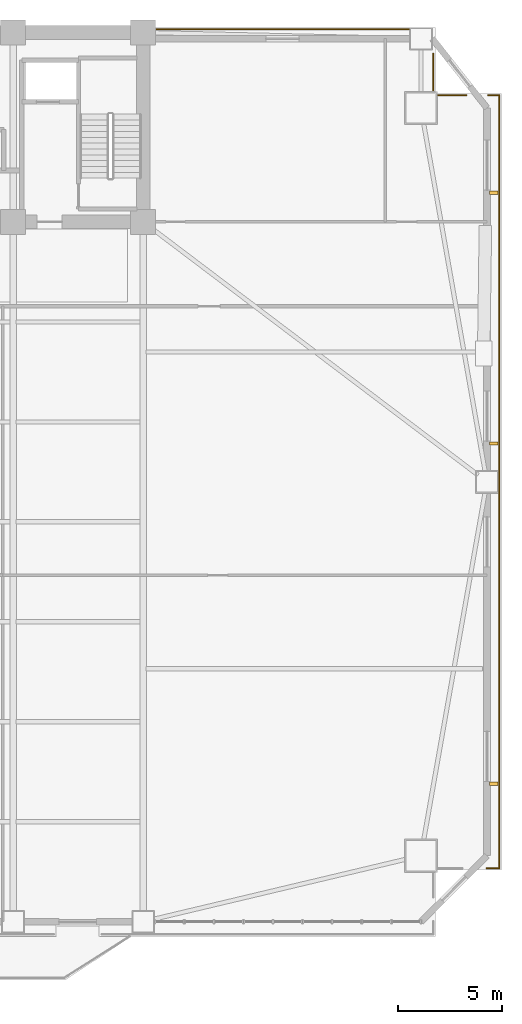
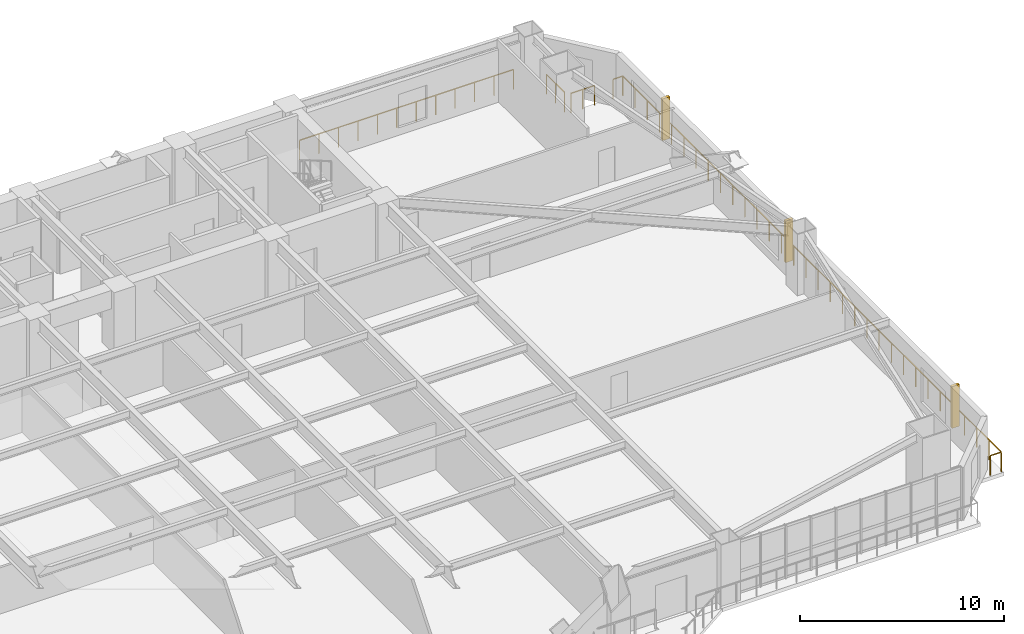
# One storey, part 17 of 17: 6 railings, 3 shading devices.
"""IFC4 building model written with IfcOpenShell, lengths in metres."""

from ifc_helpers import new_model, si_unit, direction, frame, origin, origin_2d, place, context, subcontext, project, spatial, rectangle, extrude, source, transform, mapped, material, type_object, element, save


model = new_model("IFC4")

# Units and contexts
model_context = context("Model", 3, precision=1e-05, world=origin(), true_north=direction((0.0, 1.0)))
body_context = subcontext(model_context, "Body", "Model", "MODEL_VIEW")
ifc_project = project(units=[si_unit("LENGTHUNIT", "METRE"), si_unit("AREAUNIT", "SQUARE_METRE"), si_unit("VOLUMEUNIT", "CUBIC_METRE"), si_unit("PLANEANGLEUNIT", "RADIAN"), si_unit("MASSUNIT", "GRAM", prefix="KILO")], contexts=[model_context])

# Site, building, storey
site_placement = place(None, origin())
site = spatial("IfcSite", under=ifc_project, at=site_placement, CompositionType="ELEMENT")
building_placement = place(site_placement, origin())
building = spatial("IfcBuilding", under=site, at=building_placement, Name="Giltprow Tower", CompositionType="ELEMENT")
storey_placement = place(building_placement, frame((0.0, 0.0, 41.0)))
storey = spatial("IfcBuildingStorey", under=building, at=storey_placement, Name="L10", CompositionType="ELEMENT", Elevation=41.0)

# Railings
ifc_material = material(Name="Anodized bronze", Category="metal")
railing_type = type_object("IfcRailingType", Name="RAIL-BALC-GUARD-1200", PredefinedType="BALUSTRADE", material=ifc_material)
railing_1_placement = place(storey_placement, frame((51.18505859375, 46.699951171875, 0.0)))
element("IfcRailing", 1, at=railing_1_placement, inside=storey, type_object=railing_type, Name="L10 Corner Apron Edge Balustrade 10", PredefinedType="BALUSTRADE", context=body_context, shape_type="SweptSolid", body=[
    extrude(rectangle(XDim=0.048095703125, YDim=0.048095703125, at=origin_2d()), frame((0.0, 0.0, 1.17578125), z_axis=(1.0, 0.0, 0.0), x_axis=(0.0, 1.0, 0.0)), (0.0, 0.0, 1.0), 12.120849609375),
    extrude(rectangle(XDim=0.0419921875, YDim=0.0419921875, at=origin_2d()), origin(), (0.0, 0.0, 1.0), 1.15185546875),
    extrude(rectangle(XDim=0.0419921875, YDim=0.0419921875, at=origin_2d()), frame((1.101806640625, 0.0, 0.0)), (0.0, 0.0, 1.0), 1.15185546875),
    extrude(rectangle(XDim=0.0419921875, YDim=0.0419921875, at=origin_2d()), frame((2.203857421875, 0.0, 0.0)), (0.0, 0.0, 1.0), 1.15185546875),
    extrude(rectangle(XDim=0.0419921875, YDim=0.0419921875, at=origin_2d()), frame((3.3056640625, 0.0, 0.0)), (0.0, 0.0, 1.0), 1.15185546875),
    extrude(rectangle(XDim=0.0419921875, YDim=0.0419921875, at=origin_2d()), frame((4.407470703125, 0.0, 0.0)), (0.0, 0.0, 1.0), 1.15185546875),
    extrude(rectangle(XDim=0.0419921875, YDim=0.0419921875, at=origin_2d()), frame((5.509521484375, 0.0, 0.0)), (0.0, 0.0, 1.0), 1.15185546875),
    extrude(rectangle(XDim=0.0419921875, YDim=0.0419921875, at=origin_2d()), frame((6.611328125, 0.0, 0.0)), (0.0, 0.0, 1.0), 1.15185546875),
    extrude(rectangle(XDim=0.0419921875, YDim=0.0419921875, at=origin_2d()), frame((7.71337890625, 0.0, 0.0)), (0.0, 0.0, 1.0), 1.15185546875),
    extrude(rectangle(XDim=0.0419921875, YDim=0.0419921875, at=origin_2d()), frame((8.815185546875, 0.0, 0.0)), (0.0, 0.0, 1.0), 1.15185546875),
    extrude(rectangle(XDim=0.0419921875, YDim=0.0419921875, at=origin_2d()), frame((9.9169921875, 0.0, 0.0)), (0.0, 0.0, 1.0), 1.15185546875),
    extrude(rectangle(XDim=0.0419921875, YDim=0.0419921875, at=origin_2d()), frame((11.01904296875, 0.0, 0.0)), (0.0, 0.0, 1.0), 1.15185546875),
    extrude(rectangle(XDim=0.0419921875, YDim=0.0419921875, at=origin_2d()), frame((12.120849609375, 0.0, 0.0)), (0.0, 0.0, 1.0), 1.15185546875),
])
railing_2_placement = place(storey_placement, frame((64.490966796875, 45.52490234375, 0.0)))
element("IfcRailing", 2, at=railing_2_placement, inside=storey, type_object=railing_type, Name="L10 Corner Apron Edge Balustrade 11", PredefinedType="BALUSTRADE", context=body_context, shape_type="SweptSolid", body=[
    extrude(rectangle(XDim=0.048095703125, YDim=0.048095703125, at=origin_2d()), frame((0.0, 0.0, 1.17578125), z_axis=(0.0, -1.0, 0.0), x_axis=(1.0, 0.0, 0.0)), (0.0, 0.0, 1.0), 1.763916015625),
    extrude(rectangle(XDim=0.0419921875, YDim=0.0419921875, at=origin_2d()), origin(), (0.0, 0.0, 1.0), 1.15185546875),
    extrude(rectangle(XDim=0.0419921875, YDim=0.0419921875, at=origin_2d()), frame((0.0, -0.8818359375, 0.0)), (0.0, 0.0, 1.0), 1.15185546875),
    extrude(rectangle(XDim=0.0419921875, YDim=0.0419921875, at=origin_2d()), frame((0.0, -1.763916015625, 0.0)), (0.0, 0.0, 1.0), 1.15185546875),
])
railing_3_placement = place(storey_placement, frame((64.72607421875, 43.52587890625, 0.0)))
element("IfcRailing", 3, at=railing_3_placement, inside=storey, type_object=railing_type, Name="L10 Corner Apron Edge Balustrade 12", PredefinedType="BALUSTRADE", context=body_context, shape_type="SweptSolid", body=[
    extrude(rectangle(XDim=0.048095703125, YDim=0.048095703125, at=origin_2d()), frame((0.0, 0.0, 1.17578125), z_axis=(1.0, 0.0, 0.0), x_axis=(0.0, 1.0, 0.0)), (0.0, 0.0, 1.0), 1.343017578125),
    extrude(rectangle(XDim=0.0419921875, YDim=0.0419921875, at=origin_2d()), origin(), (0.0, 0.0, 1.0), 1.15185546875),
    extrude(rectangle(XDim=0.0419921875, YDim=0.0419921875, at=origin_2d()), frame((0.67138671875, 0.0, 0.0)), (0.0, 0.0, 1.0), 1.15185546875),
    extrude(rectangle(XDim=0.0419921875, YDim=0.0419921875, at=origin_2d()), frame((1.343017578125, 0.0, 0.0)), (0.0, 0.0, 1.0), 1.15185546875),
])
railing_4_placement = place(storey_placement, frame((67.114013671875, 43.52587890625, 0.0)))
element("IfcRailing", 4, at=railing_4_placement, inside=storey, type_object=railing_type, Name="L10 Corner Apron Edge Balustrade 13", PredefinedType="BALUSTRADE", context=body_context, shape_type="SweptSolid", body=[
    extrude(rectangle(XDim=0.048095703125, YDim=0.048095703125, at=origin_2d()), frame((0.0, 0.0, 1.17578125), z_axis=(1.0, 0.0, 0.0), x_axis=(0.0, 1.0, 0.0)), (0.0, 0.0, 1.0), 0.551025390625),
    extrude(rectangle(XDim=0.0419921875, YDim=0.0419921875, at=origin_2d()), origin(), (0.0, 0.0, 1.0), 1.15185546875),
    extrude(rectangle(XDim=0.0419921875, YDim=0.0419921875, at=origin_2d()), frame((0.551025390625, 0.0, 0.0)), (0.0, 0.0, 1.0), 1.15185546875),
])
railing_5_placement = place(storey_placement, frame((67.6650390625, 43.52587890625, 0.0)))
element("IfcRailing", 5, at=railing_5_placement, inside=storey, type_object=railing_type, Name="L10 Corner Apron Edge Balustrade 14", PredefinedType="BALUSTRADE", context=body_context, shape_type="SweptSolid", body=[
    extrude(rectangle(XDim=0.048095703125, YDim=0.048095703125, at=origin_2d()), frame((0.0, 0.0, 1.17578125), z_axis=(0.0, -1.0, 0.0), x_axis=(1.0, 0.0, 0.0)), (0.0, 0.0, 1.0), 37.1259765625),
    extrude(rectangle(XDim=0.0419921875, YDim=0.0419921875, at=origin_2d()), origin(), (0.0, 0.0, 1.0), 1.15185546875),
    extrude(rectangle(XDim=0.0419921875, YDim=0.0419921875, at=origin_2d()), frame((0.0, -1.197509765625, 0.0)), (0.0, 0.0, 1.0), 1.15185546875),
    extrude(rectangle(XDim=0.0419921875, YDim=0.0419921875, at=origin_2d()), frame((0.0, -2.395263671875, 0.0)), (0.0, 0.0, 1.0), 1.15185546875),
    extrude(rectangle(XDim=0.0419921875, YDim=0.0419921875, at=origin_2d()), frame((0.0, -3.5927734375, 0.0)), (0.0, 0.0, 1.0), 1.15185546875),
    extrude(rectangle(XDim=0.0419921875, YDim=0.0419921875, at=origin_2d()), frame((0.0, -4.79052734375, 0.0)), (0.0, 0.0, 1.0), 1.15185546875),
    extrude(rectangle(XDim=0.0419921875, YDim=0.0419921875, at=origin_2d()), frame((0.0, -5.988037109375, 0.0)), (0.0, 0.0, 1.0), 1.15185546875),
    extrude(rectangle(XDim=0.0419921875, YDim=0.0419921875, at=origin_2d()), frame((0.0, -7.185791015625, 0.0)), (0.0, 0.0, 1.0), 1.15185546875),
    extrude(rectangle(XDim=0.0419921875, YDim=0.0419921875, at=origin_2d()), frame((0.0, -8.38330078125, 0.0)), (0.0, 0.0, 1.0), 1.15185546875),
    extrude(rectangle(XDim=0.0419921875, YDim=0.0419921875, at=origin_2d()), frame((0.0, -9.580810546875, 0.0)), (0.0, 0.0, 1.0), 1.15185546875),
    extrude(rectangle(XDim=0.0419921875, YDim=0.0419921875, at=origin_2d()), frame((0.0, -10.778564453125, 0.0)), (0.0, 0.0, 1.0), 1.15185546875),
    extrude(rectangle(XDim=0.0419921875, YDim=0.0419921875, at=origin_2d()), frame((0.0, -11.97607421875, 0.0)), (0.0, 0.0, 1.0), 1.15185546875),
    extrude(rectangle(XDim=0.0419921875, YDim=0.0419921875, at=origin_2d()), frame((0.0, -13.173828125, 0.0)), (0.0, 0.0, 1.0), 1.15185546875),
    extrude(rectangle(XDim=0.0419921875, YDim=0.0419921875, at=origin_2d()), frame((0.0, -14.371337890625, 0.0)), (0.0, 0.0, 1.0), 1.15185546875),
    extrude(rectangle(XDim=0.0419921875, YDim=0.0419921875, at=origin_2d()), frame((0.0, -15.56884765625, 0.0)), (0.0, 0.0, 1.0), 1.15185546875),
    extrude(rectangle(XDim=0.0419921875, YDim=0.0419921875, at=origin_2d()), frame((0.0, -16.7666015625, 0.0)), (0.0, 0.0, 1.0), 1.15185546875),
    extrude(rectangle(XDim=0.0419921875, YDim=0.0419921875, at=origin_2d()), frame((0.0, -17.964111328125, 0.0)), (0.0, 0.0, 1.0), 1.15185546875),
    extrude(rectangle(XDim=0.0419921875, YDim=0.0419921875, at=origin_2d()), frame((0.0, -19.161865234375, 0.0)), (0.0, 0.0, 1.0), 1.15185546875),
    extrude(rectangle(XDim=0.0419921875, YDim=0.0419921875, at=origin_2d()), frame((0.0, -20.359375, 0.0)), (0.0, 0.0, 1.0), 1.15185546875),
    extrude(rectangle(XDim=0.0419921875, YDim=0.0419921875, at=origin_2d()), frame((0.0, -21.55712890625, 0.0)), (0.0, 0.0, 1.0), 1.15185546875),
    extrude(rectangle(XDim=0.0419921875, YDim=0.0419921875, at=origin_2d()), frame((0.0, -22.754638671875, 0.0)), (0.0, 0.0, 1.0), 1.15185546875),
    extrude(rectangle(XDim=0.0419921875, YDim=0.0419921875, at=origin_2d()), frame((0.0, -23.9521484375, 0.0)), (0.0, 0.0, 1.0), 1.15185546875),
    extrude(rectangle(XDim=0.0419921875, YDim=0.0419921875, at=origin_2d()), frame((0.0, -25.14990234375, 0.0)), (0.0, 0.0, 1.0), 1.15185546875),
    extrude(rectangle(XDim=0.0419921875, YDim=0.0419921875, at=origin_2d()), frame((0.0, -26.347412109375, 0.0)), (0.0, 0.0, 1.0), 1.15185546875),
    extrude(rectangle(XDim=0.0419921875, YDim=0.0419921875, at=origin_2d()), frame((0.0, -27.545166015625, 0.0)), (0.0, 0.0, 1.0), 1.15185546875),
    extrude(rectangle(XDim=0.0419921875, YDim=0.0419921875, at=origin_2d()), frame((0.0, -28.74267578125, 0.0)), (0.0, 0.0, 1.0), 1.15185546875),
    extrude(rectangle(XDim=0.0419921875, YDim=0.0419921875, at=origin_2d()), frame((0.0, -29.940185546875, 0.0)), (0.0, 0.0, 1.0), 1.15185546875),
    extrude(rectangle(XDim=0.0419921875, YDim=0.0419921875, at=origin_2d()), frame((0.0, -31.137939453125, 0.0)), (0.0, 0.0, 1.0), 1.15185546875),
    extrude(rectangle(XDim=0.0419921875, YDim=0.0419921875, at=origin_2d()), frame((0.0, -32.33544921875, 0.0)), (0.0, 0.0, 1.0), 1.15185546875),
    extrude(rectangle(XDim=0.0419921875, YDim=0.0419921875, at=origin_2d()), frame((0.0, -33.533203125, 0.0)), (0.0, 0.0, 1.0), 1.15185546875),
    extrude(rectangle(XDim=0.0419921875, YDim=0.0419921875, at=origin_2d()), frame((0.0, -34.730712890625, 0.0)), (0.0, 0.0, 1.0), 1.15185546875),
    extrude(rectangle(XDim=0.0419921875, YDim=0.0419921875, at=origin_2d()), frame((0.0, -35.928466796875, 0.0)), (0.0, 0.0, 1.0), 1.15185546875),
    extrude(rectangle(XDim=0.0419921875, YDim=0.0419921875, at=origin_2d()), frame((0.0, -37.1259765625, 0.0)), (0.0, 0.0, 1.0), 1.15185546875),
])
railing_6_placement = place(storey_placement, frame((67.6650390625, 6.39990234375, 0.0)))
element("IfcRailing", 6, at=railing_6_placement, inside=storey, type_object=railing_type, Name="L10 Corner Apron Edge Balustrade 15", PredefinedType="BALUSTRADE", context=body_context, shape_type="SweptSolid", body=[
    extrude(rectangle(XDim=0.048095703125, YDim=0.048095703125, at=origin_2d()), frame((0.0, 0.0, 1.17578125), z_axis=(-1.0, 0.0, 0.0), x_axis=(0.0, -1.0, 0.0)), (0.0, 0.0, 1.0), 0.62109375),
    extrude(rectangle(XDim=0.0419921875, YDim=0.0419921875, at=origin_2d()), origin(), (0.0, 0.0, 1.0), 1.15185546875),
    extrude(rectangle(XDim=0.0419921875, YDim=0.0419921875, at=origin_2d()), frame((-0.62109375, 0.0, 0.0)), (0.0, 0.0, 1.0), 1.15185546875),
])

# Shading devices
shading_device_type = type_object("IfcShadingDeviceType", Name="SHD-FIN-420", PredefinedType="USERDEFINED", material=ifc_material)
shared_shape = source(origin(), body_context, "Body", "SweptSolid", [
    extrude(rectangle(XDim=0.419921875, YDim=0.159912109375, at=origin_2d()), origin(), (0.0, 0.0, 1.0), 2.5),
])
for number, where, z_axis, x_axis, name in (
    (7, (67.385009765625, 10.447998046875, 0.35009765625), (0.0, 0.0, 1.0), (1.0, 0.0, 0.0), "L10 E Bronze Vertical Fin 1-1"),
    (8, (67.385009765625, 26.800048828125, 0.35009765625), (0.0, 0.0, 1.0), (1.0, 0.0, 0.0), "L10 E Bronze Vertical Fin 2-1"),
    (9, (67.385009765625, 38.85595703125, 0.35009765625), (0.0, 0.0, 1.0), (1.0, 0.0, 0.0), "L10 E Bronze Vertical Fin 2-2"),
):
    element("IfcShadingDevice", number, at=place(storey_placement, frame(where, z_axis=z_axis, x_axis=x_axis)), inside=storey, type_object=shading_device_type, Name=name, ObjectType="FIN", PredefinedType="USERDEFINED", context=body_context, shape_type="MappedRepresentation", body=[
        mapped(shared_shape, transform((0.0, 0.0, 0.0), x_axis=(1.0, 0.0, 0.0), y_axis=(0.0, 1.0, 0.0), z_axis=(0.0, 0.0, 1.0), scale=1.0)),
    ])

save(model, "model.ifc")
